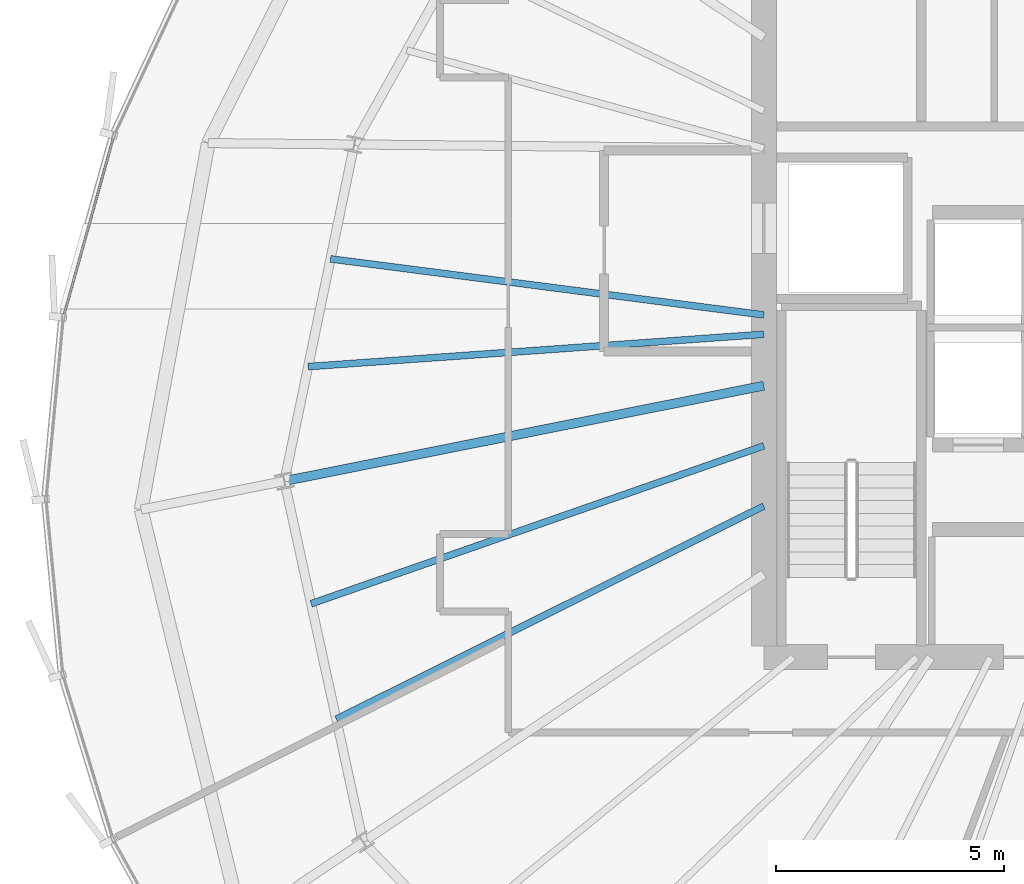
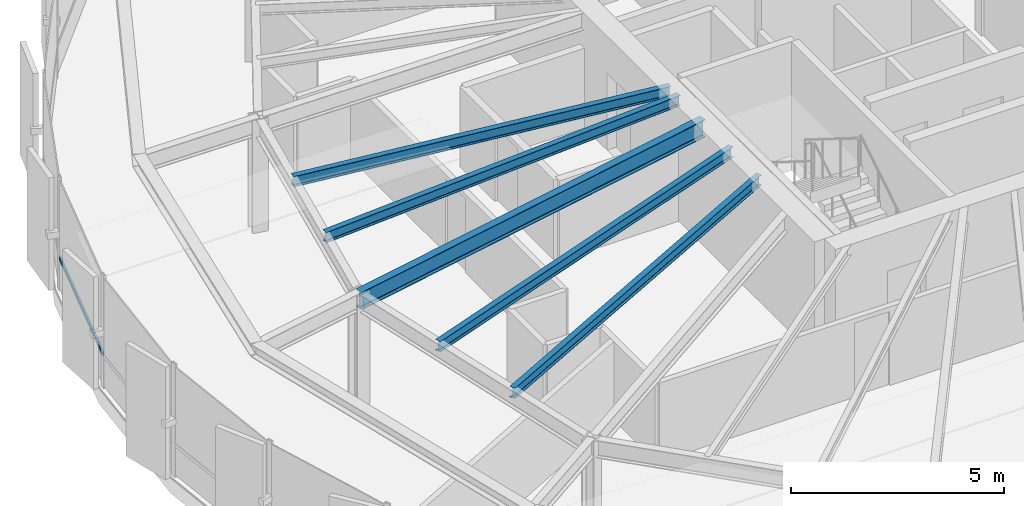
# One storey, part 10 of 36: 5 beams, 1 member, 1 element without a shape of its own.
"""IFC4 building model written with IfcOpenShell, lengths in metres."""

from ifc_helpers import new_model, si_unit, direction, frame, origin, origin_2d, place, context, subcontext, project, spatial, hollow_rectangle, i_section, extrude, source, transform, mapped, material, layer, layer_set, material_profile, profile_set, type_object, element, aggregate, save


model = new_model("IFC4")

# Units and contexts
model_context = context("Model", 3, precision=1e-05, world=origin(), true_north=direction((0.0, 1.0)))
body_context = subcontext(model_context, "Body", "Model", "MODEL_VIEW")
ifc_project = project(units=[si_unit("LENGTHUNIT", "METRE"), si_unit("AREAUNIT", "SQUARE_METRE"), si_unit("VOLUMEUNIT", "CUBIC_METRE"), si_unit("PLANEANGLEUNIT", "RADIAN"), si_unit("MASSUNIT", "GRAM", prefix="KILO"), si_unit("THERMODYNAMICTEMPERATUREUNIT", "KELVIN")], contexts=[model_context])

# Site, building, storey
site_placement = place(None, origin())
site = spatial("IfcSite", under=ifc_project, at=site_placement, CompositionType="ELEMENT")
building_placement = place(site_placement, origin())
building = spatial("IfcBuilding", under=site, at=building_placement, Name="Kethvar Cultural Tower", CompositionType="ELEMENT")
storey_placement = place(building_placement, frame((0.0, 0.0, 176.39990234375)))
storey = spatial("IfcBuildingStorey", under=building, at=storey_placement, Name="L45", CompositionType="ELEMENT", Elevation=176.39990234375)

# Beams
ifc_material_1 = material(Name="Steel S355J2", Category="steel")
ifc_material_profile_1 = material_profile(ifc_material_1, i_section(OverallWidth=0.199951171875, OverallDepth=0.5, WebThickness=0.01025390625, FlangeThickness=0.01611328125, FilletRadius=0.02099609375, at=origin_2d()), Name="Steel S355J2 — IPE500")
ifc_profile_set_1 = profile_set([ifc_material_profile_1], Name="Steel S355J2 — IPE500")
beam_type_1 = type_object("IfcBeamType", Name="BM-IPE500", PredefinedType="BEAM", material=ifc_profile_set_1)
shared_shape_1 = source(origin(), body_context, "Body", "SweptSolid", [
    extrude(i_section(OverallWidth=0.199951171875, OverallDepth=0.5, WebThickness=0.01025390625, FlangeThickness=0.01611328125, FilletRadius=0.02099609375, at=origin_2d()), origin(), (0.0, 0.0, 1.0), 10.712890625),
])
beam_1_placement = place(storey_placement, frame((38.0, 26.049560546875, 3.008056640625), z_axis=(-0.980787859831, -0.195077353908, 0.0), x_axis=(0.195077353908, -0.980787859831, 0.0)))
element("IfcBeam", 1, at=beam_1_placement, inside=storey, type_object=beam_type_1, Name="L45 Primary Radial Beam RB-09", PredefinedType="BEAM", context=body_context, shape_type="MappedRepresentation", body=[
    mapped(shared_shape_1, transform((0.0, 0.0, 0.0), scale=1.0)),
])
ifc_material_profile_2 = material_profile(ifc_material_1, i_section(OverallWidth=0.14990234375, OverallDepth=0.300048828125, WebThickness=0.007080078125, FlangeThickness=0.0107421875, FilletRadius=0.014892578125, at=origin_2d()), Name="Steel S355J2 — IPE300")
ifc_profile_set_2 = profile_set([ifc_material_profile_2], Name="Steel S355J2 — IPE300")
beam_type_2 = type_object("IfcBeamType", Name="BM-J300", PredefinedType="JOIST", material=ifc_profile_set_2)
shared_shape_2 = source(origin(), body_context, "Body", "SweptSolid", [
    extrude(i_section(OverallWidth=0.14990234375, OverallDepth=0.300048828125, WebThickness=0.007080078125, FlangeThickness=0.0107421875, FilletRadius=0.014892578125, at=origin_2d()), origin(), (0.0, 0.0, 1.0), 9.5751953125),
])
beam_2_placement = place(storey_placement, frame((38.0, 27.60009765625, 3.108154296875), z_axis=(-0.991744950922, 0.128226176424, 0.0), x_axis=(-0.128226176424, -0.991744950922, 0.0)))
element("IfcBeam", 2, at=beam_2_placement, inside=storey, type_object=beam_type_2, Name="L45 Composite Floor Joist J-08A", PredefinedType="JOIST", context=body_context, shape_type="MappedRepresentation", body=[
    mapped(shared_shape_2, transform((0.0, 0.0, 0.0), scale=1.0)),
])
shared_shape_3 = source(origin(), body_context, "Body", "SweptSolid", [
    extrude(i_section(OverallWidth=0.14990234375, OverallDepth=0.300048828125, WebThickness=0.007080078125, FlangeThickness=0.0107421875, FilletRadius=0.014892578125, at=origin_2d()), origin(), (0.0, 0.0, 1.0), 10.01123046875),
])
beam_3_placement = place(storey_placement, frame((38.0, 27.17578125, 3.108154296875), z_axis=(-0.997494349679, -0.070746182637, 0.0), x_axis=(0.070746182637, -0.997494349679, 0.0)))
element("IfcBeam", 3, at=beam_3_placement, inside=storey, type_object=beam_type_2, Name="L45 Composite Floor Joist J-08B", PredefinedType="JOIST", context=body_context, shape_type="MappedRepresentation", body=[
    mapped(shared_shape_3, transform((0.0, 0.0, 0.0), scale=1.0)),
])
shared_shape_4 = source(origin(), body_context, "Body", "SweptSolid", [
    extrude(i_section(OverallWidth=0.14990234375, OverallDepth=0.300048828125, WebThickness=0.007080078125, FlangeThickness=0.0107421875, FilletRadius=0.014892578125, at=origin_2d()), origin(), (0.0, 0.0, 1.0), 10.506591796875),
])
beam_4_placement = place(storey_placement, frame((38.0, 24.73095703125, 3.108154296875), z_axis=(-0.944221858738, -0.329310008171, 0.0), x_axis=(0.329310008171, -0.944221858738, 0.0)))
element("IfcBeam", 4, at=beam_4_placement, inside=storey, type_object=beam_type_2, Name="L45 Composite Floor Joist J-09A", PredefinedType="JOIST", context=body_context, shape_type="MappedRepresentation", body=[
    mapped(shared_shape_4, transform((0.0, 0.0, 0.0), scale=1.0)),
])
shared_shape_5 = source(origin(), body_context, "Body", "SweptSolid", [
    extrude(i_section(OverallWidth=0.14990234375, OverallDepth=0.300048828125, WebThickness=0.007080078125, FlangeThickness=0.0107421875, FilletRadius=0.014892578125, at=origin_2d()), origin(), (0.0, 0.0, 1.0), 10.468994140625),
])
beam_5_placement = place(storey_placement, frame((38.0, 23.412109375, 3.108154296875), z_axis=(-0.894916380948, -0.446233874904, 0.0), x_axis=(0.446233874904, -0.894916380948, 0.0)))
element("IfcBeam", 5, at=beam_5_placement, inside=storey, type_object=beam_type_2, Name="L45 Composite Floor Joist J-09B", PredefinedType="JOIST", context=body_context, shape_type="MappedRepresentation", body=[
    mapped(shared_shape_5, transform((0.0, 0.0, 0.0), scale=1.0)),
])

# Curtain wall, member
ifc_material_2 = material(Name="Aluminium 6063-T6", Category="aluminium")
ifc_layer = layer(ifc_material_2, 0.179931640625, Name="Aluminium 6063-T6", Category="aluminium")
ifc_layer_set = layer_set([ifc_layer], Name="Aluminium 6063-T6 (180 mm)")
curtain_wall_type = type_object("IfcCurtainWallType", Name="CW-SYS-04-Z34", PredefinedType="NOTDEFINED", material=ifc_layer_set)
curtain_wall_placement = place(storey_placement, origin())
curtain_wall = element("IfcCurtainWall", 6, at=curtain_wall_placement, inside=storey, type_object=curtain_wall_type, Name="L45 Curtain Wall Run 03", PredefinedType="NOTDEFINED")
ifc_material_profile_3 = material_profile(ifc_material_2, hollow_rectangle(XDim=0.050048828125, YDim=0.10009765625, WallThickness=0.00390625, at=origin_2d()), Name="Aluminium 6063-T6 — RHS100x50x4")
ifc_profile_set_3 = profile_set([ifc_material_profile_3], Name="Aluminium 6063-T6 — RHS100x50x4")
member_type = type_object("IfcMemberType", Name="CW-SYS-04-Z34-TRN", PredefinedType="USERDEFINED", material=ifc_profile_set_3)
shared_shape_6 = source(origin(), body_context, "Body", "SweptSolid", [
    extrude(hollow_rectangle(XDim=0.050048828125, YDim=0.10009765625, WallThickness=0.00390625, at=origin_2d()), origin(), (0.0, 0.0, 1.0), 4.07275390625),
])
member_placement = place(storey_placement, frame((23.747802734375, 31.491455078125, 0.9501953125), z_axis=(-0.268191049039, -0.963365746337, 0.0), x_axis=(0.963365746337, -0.268191049039, 0.0)))
member = element("IfcMember", 7, at=member_placement, type_object=member_type, Name="CW-L45-R03 Transom 2", ObjectType="TRANSOM", PredefinedType="USERDEFINED", context=body_context, shape_type="MappedRepresentation", body=[
    mapped(shared_shape_6, transform((0.0, 0.0, 0.0), scale=1.0)),
])
aggregate(curtain_wall, [member])

save(model, "model.ifc")
